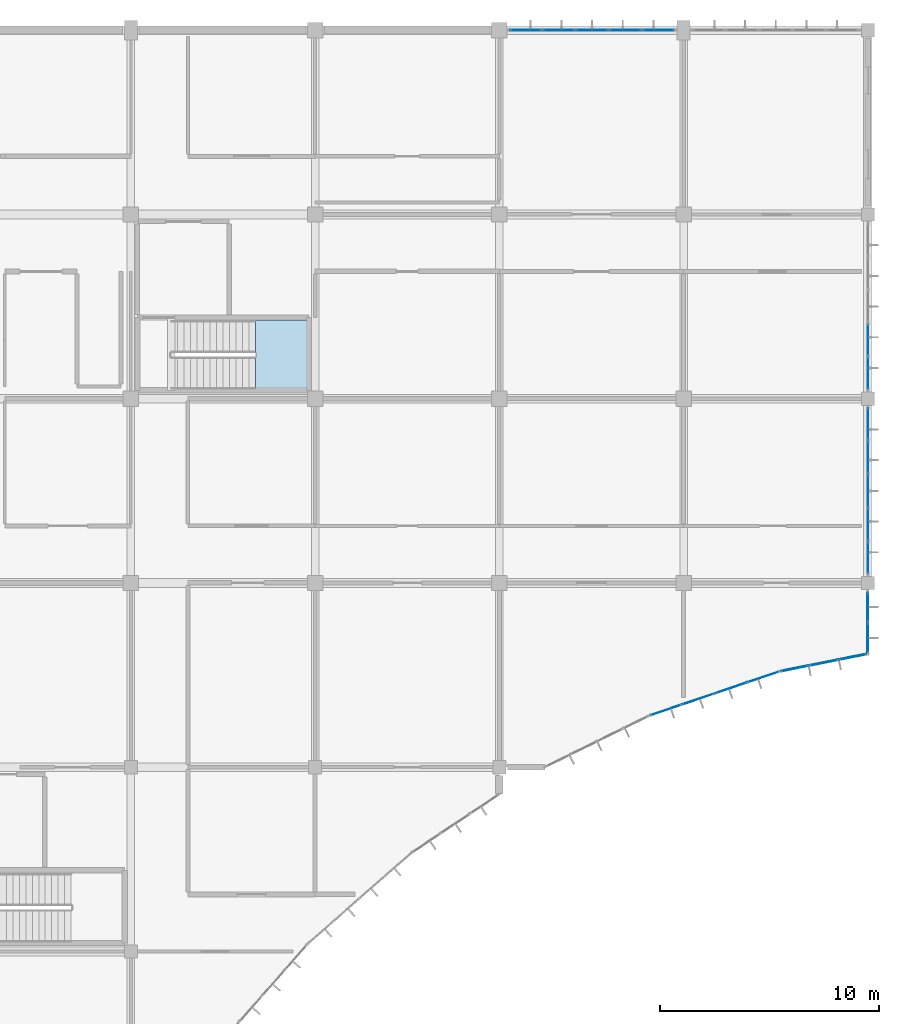
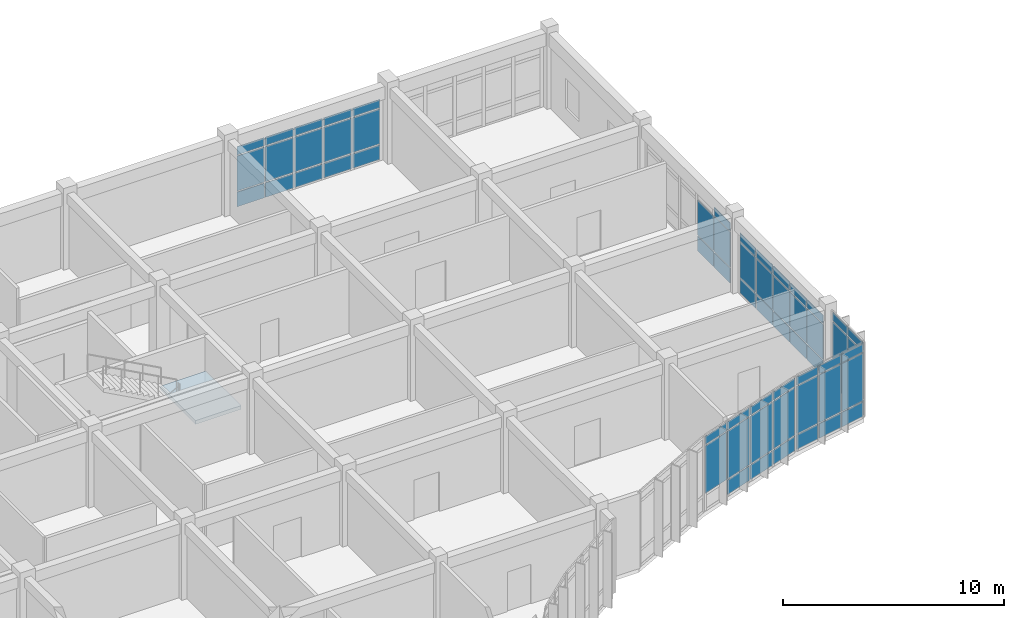
# One storey, part 89 of 144: 61 plates, 1 slab, 7 elements without a shape of their own.
"""IFC4 building model written with IfcOpenShell, lengths in metres."""

from ifc_helpers import new_model, si_unit, direction, frame, origin, origin_2d, place, context, subcontext, project, spatial, polyline, rectangle, outline, extrude, material, layer, layer_set, type_object, element, aggregate, save


model = new_model("IFC4")

# Units and contexts
model_context = context("Model", 3, precision=1e-05, world=origin(), true_north=direction((0.0, 1.0)))
body_context = subcontext(model_context, "Body", "Model", "MODEL_VIEW")
ifc_project = project(units=[si_unit("LENGTHUNIT", "METRE"), si_unit("AREAUNIT", "SQUARE_METRE"), si_unit("VOLUMEUNIT", "CUBIC_METRE"), si_unit("PLANEANGLEUNIT", "RADIAN"), si_unit("MASSUNIT", "GRAM", prefix="KILO")], contexts=[model_context])

# Site, building, storey
site_placement = place(None, origin())
site = spatial("IfcSite", under=ifc_project, at=site_placement, CompositionType="ELEMENT")
building_placement = place(site_placement, origin())
building = spatial("IfcBuilding", under=site, at=building_placement, Name="Bramfleet General Hospital", CompositionType="ELEMENT")
storey_placement = place(building_placement, frame((0.0, 0.0, 4.800048828125)))
storey = spatial("IfcBuildingStorey", under=building, at=storey_placement, Name="L01", CompositionType="ELEMENT", Elevation=4.800048828125)

# Curtain wall, plates
ifc_material_1 = material(Name="Anodised aluminium and low-E triple glazing", Category="aluminium")
ifc_layer_1 = layer(ifc_material_1, 0.179931640625, Name="CWT-CW-13")
ifc_layer_set_1 = layer_set([ifc_layer_1], Name="Anodised aluminium and low-E triple glazing")
curtain_wall_type_1 = type_object("IfcCurtainWallType", Name="CWT-CW-13", PredefinedType="USERDEFINED", material=ifc_layer_set_1)
curtain_wall_1_placement = place(storey_placement, origin())
curtain_wall_1 = element("IfcCurtainWall", 1, at=curtain_wall_1_placement, inside=storey, type_object=curtain_wall_type_1, Name="L01 Curtain Wall 49", ObjectType="Stick curtain wall", PredefinedType="USERDEFINED")
ifc_material_2 = material(Name="Low-E laminated safety glass", Category="glass")
ifc_layer_2 = layer(ifc_material_2, 0.028076171875, Name="CWP-GLZ-1")
ifc_layer_set_2 = layer_set([ifc_layer_2], Name="Low-E laminated safety glass")
plate_type_1 = type_object("IfcPlateType", Name="CWP-GLZ-1", PredefinedType="CURTAIN_PANEL", material=ifc_layer_set_2)
plate_1_placement = place(storey_placement, frame((168.0, 103.469970703125, 0.06494140625), z_axis=(0.0, 0.0, 1.0), x_axis=(0.0, -1.0, 0.0)))
plate_1 = element("IfcPlate", 2, at=plate_1_placement, type_object=plate_type_1, Name="CW-13 panel 4.1", PredefinedType="CURTAIN_PANEL", context=body_context, shape_type="SweptSolid", body=[
    extrude(rectangle(XDim=1.4599609375, YDim=0.028076171875, at=origin_2d()), origin(), (0.0, 0.0, 1.0), 0.802490234375),
])
plate_2_placement = place(storey_placement, frame((168.0, 103.469970703125, 0.9326171875), z_axis=(0.0, 0.0, 1.0), x_axis=(0.0, -1.0, 0.0)))
plate_2 = element("IfcPlate", 3, at=plate_2_placement, type_object=plate_type_1, Name="CW-13 panel 4.2", PredefinedType="CURTAIN_PANEL", context=body_context, shape_type="SweptSolid", body=[
    extrude(rectangle(XDim=1.4599609375, YDim=0.028076171875, at=origin_2d()), origin(), (0.0, 0.0, 1.0), 1.925048828125),
])
plate_3_placement = place(storey_placement, frame((168.0, 101.95751953125, 0.06494140625), z_axis=(0.0, 0.0, 1.0), x_axis=(0.0, -1.0, 0.0)))
plate_3 = element("IfcPlate", 4, at=plate_3_placement, type_object=plate_type_1, Name="CW-13 panel 5.1", PredefinedType="CURTAIN_PANEL", context=body_context, shape_type="SweptSolid", body=[
    extrude(rectangle(XDim=1.425048828125, YDim=0.028076171875, at=origin_2d()), origin(), (0.0, 0.0, 1.0), 0.802490234375),
])
plate_4_placement = place(storey_placement, frame((168.0, 101.95751953125, 0.9326171875), z_axis=(0.0, 0.0, 1.0), x_axis=(0.0, -1.0, 0.0)))
plate_4 = element("IfcPlate", 5, at=plate_4_placement, type_object=plate_type_1, Name="CW-13 panel 5.2", PredefinedType="CURTAIN_PANEL", context=body_context, shape_type="SweptSolid", body=[
    extrude(rectangle(XDim=1.425048828125, YDim=0.028076171875, at=origin_2d()), origin(), (0.0, 0.0, 1.0), 1.925048828125),
])
plate_5_placement = place(storey_placement, frame((168.0, 101.95751953125, 2.92236328125), z_axis=(0.0, 0.0, 1.0), x_axis=(0.0, -1.0, 0.0)))
plate_5 = element("IfcPlate", 6, at=plate_5_placement, type_object=plate_type_1, Name="CW-13 panel 5.3", PredefinedType="CURTAIN_PANEL", context=body_context, shape_type="SweptSolid", body=[
    extrude(rectangle(XDim=1.425048828125, YDim=0.028076171875, at=origin_2d()), origin(), (0.0, 0.0, 1.0), 0.452392578125),
])
aggregate(curtain_wall_1, [plate_1, plate_2, plate_3, plate_4, plate_5])

ifc_layer_3 = layer(ifc_material_1, 0.179931640625, Name="CWT-CW-17")
ifc_layer_set_3 = layer_set([ifc_layer_3], Name="Anodised aluminium and low-E triple glazing")
curtain_wall_type_2 = type_object("IfcCurtainWallType", Name="CWT-CW-17", PredefinedType="USERDEFINED", material=ifc_layer_set_3)
curtain_wall_2_placement = place(storey_placement, origin())
curtain_wall_2 = element("IfcCurtainWall", 7, at=curtain_wall_2_placement, inside=storey, type_object=curtain_wall_type_2, Name="L01 Curtain Wall 53", ObjectType="Stick curtain wall", PredefinedType="USERDEFINED")
plate_6_placement = place(storey_placement, frame((163.21728515625, 88.106201171875, 0.06494140625), z_axis=(0.0, 0.0, 1.0), x_axis=(-0.946949276617, -0.321383054181, 0.0)))
plate_6 = element("IfcPlate", 8, at=plate_6_placement, type_object=plate_type_1, Name="CW-17 panel 1.1", PredefinedType="CURTAIN_PANEL", context=body_context, shape_type="SweptSolid", body=[
    extrude(rectangle(XDim=1.46484375, YDim=0.028076171875, at=origin_2d()), origin(), (0.0, 0.0, 1.0), 0.802490234375),
])
plate_7_placement = place(storey_placement, frame((163.21728515625, 88.106201171875, 0.932373046875), z_axis=(0.0, 0.0, 1.0), x_axis=(-0.946949276617, -0.321383054181, 0.0)))
plate_7 = element("IfcPlate", 9, at=plate_7_placement, type_object=plate_type_1, Name="CW-17 panel 1.2", PredefinedType="CURTAIN_PANEL", context=body_context, shape_type="SweptSolid", body=[
    extrude(rectangle(XDim=1.46484375, YDim=0.028076171875, at=origin_2d()), origin(), (0.0, 0.0, 1.0), 2.625),
])
plate_8_placement = place(storey_placement, frame((163.21728515625, 88.106201171875, 3.62255859375), z_axis=(0.0, 0.0, 1.0), x_axis=(-0.946949276617, -0.321383054181, 0.0)))
plate_8 = element("IfcPlate", 10, at=plate_8_placement, type_object=plate_type_1, Name="CW-17 panel 1.3", PredefinedType="CURTAIN_PANEL", context=body_context, shape_type="SweptSolid", body=[
    extrude(rectangle(XDim=1.46484375, YDim=0.028076171875, at=origin_2d()), origin(), (0.0, 0.0, 1.0), 0.452392578125),
])
plate_9_placement = place(storey_placement, frame((161.747314453125, 87.607177734375, 0.06494140625), z_axis=(0.0, 0.0, 1.0), x_axis=(-0.946949276617, -0.321383054181, 0.0)))
plate_9 = element("IfcPlate", 11, at=plate_9_placement, type_object=plate_type_1, Name="CW-17 panel 2.1", PredefinedType="CURTAIN_PANEL", context=body_context, shape_type="SweptSolid", body=[
    extrude(rectangle(XDim=1.499755859375, YDim=0.028076171875, at=origin_2d()), origin(), (0.0, 0.0, 1.0), 0.802490234375),
])
plate_10_placement = place(storey_placement, frame((161.747314453125, 87.607177734375, 0.932373046875), z_axis=(0.0, 0.0, 1.0), x_axis=(-0.946949276617, -0.321383054181, 0.0)))
plate_10 = element("IfcPlate", 12, at=plate_10_placement, type_object=plate_type_1, Name="CW-17 panel 2.2", PredefinedType="CURTAIN_PANEL", context=body_context, shape_type="SweptSolid", body=[
    extrude(rectangle(XDim=1.499755859375, YDim=0.028076171875, at=origin_2d()), origin(), (0.0, 0.0, 1.0), 2.625),
])
plate_11_placement = place(storey_placement, frame((161.747314453125, 87.607177734375, 3.62255859375), z_axis=(0.0, 0.0, 1.0), x_axis=(-0.946949276617, -0.321383054181, 0.0)))
plate_11 = element("IfcPlate", 13, at=plate_11_placement, type_object=plate_type_1, Name="CW-17 panel 2.3", PredefinedType="CURTAIN_PANEL", context=body_context, shape_type="SweptSolid", body=[
    extrude(rectangle(XDim=1.499755859375, YDim=0.028076171875, at=origin_2d()), origin(), (0.0, 0.0, 1.0), 0.452392578125),
])
plate_12_placement = place(storey_placement, frame((160.2607421875, 87.102783203125, 0.06494140625), z_axis=(0.0, 0.0, 1.0), x_axis=(-0.946949276617, -0.321383054181, 0.0)))
plate_12 = element("IfcPlate", 14, at=plate_12_placement, type_object=plate_type_1, Name="CW-17 panel 3.1", PredefinedType="CURTAIN_PANEL", context=body_context, shape_type="SweptSolid", body=[
    extrude(rectangle(XDim=1.499755859375, YDim=0.028076171875, at=origin_2d()), origin(), (0.0, 0.0, 1.0), 0.802490234375),
])
plate_13_placement = place(storey_placement, frame((160.2607421875, 87.102783203125, 0.932373046875), z_axis=(0.0, 0.0, 1.0), x_axis=(-0.946949276617, -0.321383054181, 0.0)))
plate_13 = element("IfcPlate", 15, at=plate_13_placement, type_object=plate_type_1, Name="CW-17 panel 3.2", PredefinedType="CURTAIN_PANEL", context=body_context, shape_type="SweptSolid", body=[
    extrude(rectangle(XDim=1.499755859375, YDim=0.028076171875, at=origin_2d()), origin(), (0.0, 0.0, 1.0), 2.625),
])
plate_14_placement = place(storey_placement, frame((160.2607421875, 87.102783203125, 3.62255859375), z_axis=(0.0, 0.0, 1.0), x_axis=(-0.946949276617, -0.321383054181, 0.0)))
plate_14 = element("IfcPlate", 16, at=plate_14_placement, type_object=plate_type_1, Name="CW-17 panel 3.3", PredefinedType="CURTAIN_PANEL", context=body_context, shape_type="SweptSolid", body=[
    extrude(rectangle(XDim=1.499755859375, YDim=0.028076171875, at=origin_2d()), origin(), (0.0, 0.0, 1.0), 0.452392578125),
])
plate_15_placement = place(storey_placement, frame((158.790771484375, 86.603759765625, 0.932373046875), z_axis=(0.0, 0.0, 1.0), x_axis=(-0.946949276617, -0.321383054181, 0.0)))
plate_15 = element("IfcPlate", 17, at=plate_15_placement, type_object=plate_type_1, Name="CW-17 panel 4.2", PredefinedType="CURTAIN_PANEL", context=body_context, shape_type="SweptSolid", body=[
    extrude(rectangle(XDim=1.46484375, YDim=0.028076171875, at=origin_2d()), origin(), (0.0, 0.0, 1.0), 2.625),
])
plate_16_placement = place(storey_placement, frame((158.790771484375, 86.603759765625, 3.62255859375), z_axis=(0.0, 0.0, 1.0), x_axis=(-0.946949276617, -0.321383054181, 0.0)))
plate_16 = element("IfcPlate", 18, at=plate_16_placement, type_object=plate_type_1, Name="CW-17 panel 4.3", PredefinedType="CURTAIN_PANEL", context=body_context, shape_type="SweptSolid", body=[
    extrude(rectangle(XDim=1.46484375, YDim=0.028076171875, at=origin_2d()), origin(), (0.0, 0.0, 1.0), 0.452392578125),
])
aggregate(curtain_wall_2, [plate_6, plate_7, plate_8, plate_9, plate_10, plate_11, plate_12, plate_13, plate_14, plate_15, plate_16])

ifc_layer_4 = layer(ifc_material_1, 0.179931640625, Name="CWT-CW-14")
ifc_layer_set_4 = layer_set([ifc_layer_4], Name="Anodised aluminium and low-E triple glazing")
curtain_wall_type_3 = type_object("IfcCurtainWallType", Name="CWT-CW-14", PredefinedType="USERDEFINED", material=ifc_layer_set_4)
curtain_wall_3_placement = place(storey_placement, origin())
curtain_wall_3 = element("IfcCurtainWall", 19, at=curtain_wall_3_placement, inside=storey, type_object=curtain_wall_type_3, Name="L01 Curtain Wall 50", ObjectType="Stick curtain wall", PredefinedType="USERDEFINED")
ifc_layer_5 = layer(ifc_material_2, 0.031982421875, Name="CWP-GLZ-2")
ifc_layer_set_5 = layer_set([ifc_layer_5], Name="Low-E laminated safety glass")
plate_type_2 = type_object("IfcPlateType", Name="CWP-GLZ-2", PredefinedType="CURTAIN_PANEL", material=ifc_layer_set_5)
plate_17_placement = place(storey_placement, frame((168.0, 99.642578125, 0.06494140625), z_axis=(0.0, 0.0, 1.0), x_axis=(0.0, -1.0, 0.0)))
plate_17 = element("IfcPlate", 20, at=plate_17_placement, type_object=plate_type_2, Name="CW-14 panel 1.1", PredefinedType="CURTAIN_PANEL", context=body_context, shape_type="SweptSolid", body=[
    extrude(rectangle(XDim=1.425048828125, YDim=0.031982421875, at=origin_2d()), origin(), (0.0, 0.0, 1.0), 0.802490234375),
])
plate_18_placement = place(storey_placement, frame((168.0, 99.642578125, 0.9326171875), z_axis=(0.0, 0.0, 1.0), x_axis=(0.0, -1.0, 0.0)))
plate_18 = element("IfcPlate", 21, at=plate_18_placement, type_object=plate_type_2, Name="CW-14 panel 1.2", PredefinedType="CURTAIN_PANEL", context=body_context, shape_type="SweptSolid", body=[
    extrude(rectangle(XDim=1.425048828125, YDim=0.031982421875, at=origin_2d()), origin(), (0.0, 0.0, 1.0), 1.925048828125),
])
plate_19_placement = place(storey_placement, frame((168.0, 99.642578125, 2.92236328125), z_axis=(0.0, 0.0, 1.0), x_axis=(0.0, -1.0, 0.0)))
plate_19 = element("IfcPlate", 22, at=plate_19_placement, type_object=plate_type_2, Name="CW-14 panel 1.3", PredefinedType="CURTAIN_PANEL", context=body_context, shape_type="SweptSolid", body=[
    extrude(rectangle(XDim=1.425048828125, YDim=0.031982421875, at=origin_2d()), origin(), (0.0, 0.0, 1.0), 0.452392578125),
])
plate_20_placement = place(storey_placement, frame((168.0, 98.1298828125, 0.06494140625), z_axis=(0.0, 0.0, 1.0), x_axis=(0.0, -1.0, 0.0)))
plate_20 = element("IfcPlate", 23, at=plate_20_placement, type_object=plate_type_2, Name="CW-14 panel 2.1", PredefinedType="CURTAIN_PANEL", context=body_context, shape_type="SweptSolid", body=[
    extrude(rectangle(XDim=1.4599609375, YDim=0.031982421875, at=origin_2d()), origin(), (0.0, 0.0, 1.0), 0.802490234375),
])
plate_21_placement = place(storey_placement, frame((168.0, 98.1298828125, 0.9326171875), z_axis=(0.0, 0.0, 1.0), x_axis=(0.0, -1.0, 0.0)))
plate_21 = element("IfcPlate", 24, at=plate_21_placement, type_object=plate_type_2, Name="CW-14 panel 2.2", PredefinedType="CURTAIN_PANEL", context=body_context, shape_type="SweptSolid", body=[
    extrude(rectangle(XDim=1.4599609375, YDim=0.031982421875, at=origin_2d()), origin(), (0.0, 0.0, 1.0), 1.925048828125),
])
plate_22_placement = place(storey_placement, frame((168.0, 98.1298828125, 2.92236328125), z_axis=(0.0, 0.0, 1.0), x_axis=(0.0, -1.0, 0.0)))
plate_22 = element("IfcPlate", 25, at=plate_22_placement, type_object=plate_type_2, Name="CW-14 panel 2.3", PredefinedType="CURTAIN_PANEL", context=body_context, shape_type="SweptSolid", body=[
    extrude(rectangle(XDim=1.4599609375, YDim=0.031982421875, at=origin_2d()), origin(), (0.0, 0.0, 1.0), 0.452392578125),
])
plate_23_placement = place(storey_placement, frame((168.0, 96.60009765625, 0.06494140625), z_axis=(0.0, 0.0, 1.0), x_axis=(0.0, -1.0, 0.0)))
plate_23 = element("IfcPlate", 26, at=plate_23_placement, type_object=plate_type_2, Name="CW-14 panel 3.1", PredefinedType="CURTAIN_PANEL", context=body_context, shape_type="SweptSolid", body=[
    extrude(rectangle(XDim=1.4599609375, YDim=0.031982421875, at=origin_2d()), origin(), (0.0, 0.0, 1.0), 0.802490234375),
])
plate_24_placement = place(storey_placement, frame((168.0, 96.60009765625, 0.9326171875), z_axis=(0.0, 0.0, 1.0), x_axis=(0.0, -1.0, 0.0)))
plate_24 = element("IfcPlate", 27, at=plate_24_placement, type_object=plate_type_2, Name="CW-14 panel 3.2", PredefinedType="CURTAIN_PANEL", context=body_context, shape_type="SweptSolid", body=[
    extrude(rectangle(XDim=1.4599609375, YDim=0.031982421875, at=origin_2d()), origin(), (0.0, 0.0, 1.0), 1.925048828125),
])
plate_25_placement = place(storey_placement, frame((168.0, 96.60009765625, 2.92236328125), z_axis=(0.0, 0.0, 1.0), x_axis=(0.0, -1.0, 0.0)))
plate_25 = element("IfcPlate", 28, at=plate_25_placement, type_object=plate_type_2, Name="CW-14 panel 3.3", PredefinedType="CURTAIN_PANEL", context=body_context, shape_type="SweptSolid", body=[
    extrude(rectangle(XDim=1.4599609375, YDim=0.031982421875, at=origin_2d()), origin(), (0.0, 0.0, 1.0), 0.452392578125),
])
plate_26_placement = place(storey_placement, frame((168.0, 95.070068359375, 0.06494140625), z_axis=(0.0, 0.0, 1.0), x_axis=(0.0, -1.0, 0.0)))
plate_26 = element("IfcPlate", 29, at=plate_26_placement, type_object=plate_type_2, Name="CW-14 panel 4.1", PredefinedType="CURTAIN_PANEL", context=body_context, shape_type="SweptSolid", body=[
    extrude(rectangle(XDim=1.4599609375, YDim=0.031982421875, at=origin_2d()), origin(), (0.0, 0.0, 1.0), 0.802490234375),
])
plate_27_placement = place(storey_placement, frame((168.0, 95.070068359375, 0.9326171875), z_axis=(0.0, 0.0, 1.0), x_axis=(0.0, -1.0, 0.0)))
plate_27 = element("IfcPlate", 30, at=plate_27_placement, type_object=plate_type_2, Name="CW-14 panel 4.2", PredefinedType="CURTAIN_PANEL", context=body_context, shape_type="SweptSolid", body=[
    extrude(rectangle(XDim=1.4599609375, YDim=0.031982421875, at=origin_2d()), origin(), (0.0, 0.0, 1.0), 1.925048828125),
])
plate_28_placement = place(storey_placement, frame((168.0, 95.070068359375, 2.92236328125), z_axis=(0.0, 0.0, 1.0), x_axis=(0.0, -1.0, 0.0)))
plate_28 = element("IfcPlate", 31, at=plate_28_placement, type_object=plate_type_2, Name="CW-14 panel 4.3", PredefinedType="CURTAIN_PANEL", context=body_context, shape_type="SweptSolid", body=[
    extrude(rectangle(XDim=1.4599609375, YDim=0.031982421875, at=origin_2d()), origin(), (0.0, 0.0, 1.0), 0.452392578125),
])
plate_29_placement = place(storey_placement, frame((168.0, 93.5576171875, 0.06494140625), z_axis=(0.0, 0.0, 1.0), x_axis=(0.0, -1.0, 0.0)))
plate_29 = element("IfcPlate", 32, at=plate_29_placement, type_object=plate_type_2, Name="CW-14 panel 5.1", PredefinedType="CURTAIN_PANEL", context=body_context, shape_type="SweptSolid", body=[
    extrude(rectangle(XDim=1.425048828125, YDim=0.031982421875, at=origin_2d()), origin(), (0.0, 0.0, 1.0), 0.802490234375),
])
plate_30_placement = place(storey_placement, frame((168.0, 93.5576171875, 0.9326171875), z_axis=(0.0, 0.0, 1.0), x_axis=(0.0, -1.0, 0.0)))
plate_30 = element("IfcPlate", 33, at=plate_30_placement, type_object=plate_type_2, Name="CW-14 panel 5.2", PredefinedType="CURTAIN_PANEL", context=body_context, shape_type="SweptSolid", body=[
    extrude(rectangle(XDim=1.425048828125, YDim=0.031982421875, at=origin_2d()), origin(), (0.0, 0.0, 1.0), 1.925048828125),
])
plate_31_placement = place(storey_placement, frame((168.0, 93.5576171875, 2.92236328125), z_axis=(0.0, 0.0, 1.0), x_axis=(0.0, -1.0, 0.0)))
plate_31 = element("IfcPlate", 34, at=plate_31_placement, type_object=plate_type_2, Name="CW-14 panel 5.3", PredefinedType="CURTAIN_PANEL", context=body_context, shape_type="SweptSolid", body=[
    extrude(rectangle(XDim=1.425048828125, YDim=0.031982421875, at=origin_2d()), origin(), (0.0, 0.0, 1.0), 0.452392578125),
])
aggregate(curtain_wall_3, [plate_17, plate_18, plate_19, plate_20, plate_21, plate_22, plate_23, plate_24, plate_25, plate_26, plate_27, plate_28, plate_29, plate_30, plate_31])

ifc_layer_6 = layer(ifc_material_1, 0.179931640625, Name="CWT-CW-11")
ifc_layer_set_6 = layer_set([ifc_layer_6], Name="Anodised aluminium and low-E triple glazing")
curtain_wall_type_4 = type_object("IfcCurtainWallType", Name="CWT-CW-11", PredefinedType="USERDEFINED", material=ifc_layer_set_6)
curtain_wall_4_placement = place(storey_placement, origin())
curtain_wall_4 = element("IfcCurtainWall", 35, at=curtain_wall_4_placement, inside=storey, type_object=curtain_wall_type_4, Name="L01 Curtain Wall 47", ObjectType="Stick curtain wall", PredefinedType="USERDEFINED")
ifc_layer_7 = layer(ifc_material_2, 0.035888671875, Name="CWP-GLZ-3")
ifc_layer_set_7 = layer_set([ifc_layer_7], Name="Low-E laminated safety glass")
plate_type_3 = type_object("IfcPlateType", Name="CWP-GLZ-3", PredefinedType="CURTAIN_PANEL", material=ifc_layer_set_7)
plate_32_placement = place(storey_placement, frame((152.402587890625, 117.60009765625, 0.06494140625), z_axis=(0.0, 0.0, 1.0), x_axis=(1.0, 0.0, 0.0)))
plate_32 = element("IfcPlate", 36, at=plate_32_placement, type_object=plate_type_3, Name="CW-11 panel 1.1", PredefinedType="CURTAIN_PANEL", context=body_context, shape_type="SweptSolid", body=[
    extrude(rectangle(XDim=1.4150390625, YDim=0.035888671875, at=origin_2d()), origin(), (0.0, 0.0, 1.0), 0.802490234375),
])
plate_33_placement = place(storey_placement, frame((152.402587890625, 117.60009765625, 0.9326171875), z_axis=(0.0, 0.0, 1.0), x_axis=(1.0, 0.0, 0.0)))
plate_33 = element("IfcPlate", 37, at=plate_33_placement, type_object=plate_type_3, Name="CW-11 panel 1.2", PredefinedType="CURTAIN_PANEL", context=body_context, shape_type="SweptSolid", body=[
    extrude(rectangle(XDim=1.4150390625, YDim=0.035888671875, at=origin_2d()), origin(), (0.0, 0.0, 1.0), 1.925048828125),
])
plate_34_placement = place(storey_placement, frame((152.402587890625, 117.60009765625, 2.92236328125), z_axis=(0.0, 0.0, 1.0), x_axis=(1.0, 0.0, 0.0)))
plate_34 = element("IfcPlate", 38, at=plate_34_placement, type_object=plate_type_3, Name="CW-11 panel 1.3", PredefinedType="CURTAIN_PANEL", context=body_context, shape_type="SweptSolid", body=[
    extrude(rectangle(XDim=1.4150390625, YDim=0.035888671875, at=origin_2d()), origin(), (0.0, 0.0, 1.0), 0.452392578125),
])
plate_35_placement = place(storey_placement, frame((153.905029296875, 117.60009765625, 0.06494140625), z_axis=(0.0, 0.0, 1.0), x_axis=(1.0, 0.0, 0.0)))
plate_35 = element("IfcPlate", 39, at=plate_35_placement, type_object=plate_type_3, Name="CW-11 panel 2.1", PredefinedType="CURTAIN_PANEL", context=body_context, shape_type="SweptSolid", body=[
    extrude(rectangle(XDim=1.449951171875, YDim=0.035888671875, at=origin_2d()), origin(), (0.0, 0.0, 1.0), 0.802490234375),
])
plate_36_placement = place(storey_placement, frame((153.905029296875, 117.60009765625, 0.9326171875), z_axis=(0.0, 0.0, 1.0), x_axis=(1.0, 0.0, 0.0)))
plate_36 = element("IfcPlate", 40, at=plate_36_placement, type_object=plate_type_3, Name="CW-11 panel 2.2", PredefinedType="CURTAIN_PANEL", context=body_context, shape_type="SweptSolid", body=[
    extrude(rectangle(XDim=1.449951171875, YDim=0.035888671875, at=origin_2d()), origin(), (0.0, 0.0, 1.0), 1.925048828125),
])
plate_37_placement = place(storey_placement, frame((153.905029296875, 117.60009765625, 2.92236328125), z_axis=(0.0, 0.0, 1.0), x_axis=(1.0, 0.0, 0.0)))
plate_37 = element("IfcPlate", 41, at=plate_37_placement, type_object=plate_type_3, Name="CW-11 panel 2.3", PredefinedType="CURTAIN_PANEL", context=body_context, shape_type="SweptSolid", body=[
    extrude(rectangle(XDim=1.449951171875, YDim=0.035888671875, at=origin_2d()), origin(), (0.0, 0.0, 1.0), 0.452392578125),
])
plate_38_placement = place(storey_placement, frame((155.425048828125, 117.60009765625, 0.06494140625), z_axis=(0.0, 0.0, 1.0), x_axis=(1.0, 0.0, 0.0)))
plate_38 = element("IfcPlate", 42, at=plate_38_placement, type_object=plate_type_3, Name="CW-11 panel 3.1", PredefinedType="CURTAIN_PANEL", context=body_context, shape_type="SweptSolid", body=[
    extrude(rectangle(XDim=1.449951171875, YDim=0.035888671875, at=origin_2d()), origin(), (0.0, 0.0, 1.0), 0.802490234375),
])
plate_39_placement = place(storey_placement, frame((155.425048828125, 117.60009765625, 0.9326171875), z_axis=(0.0, 0.0, 1.0), x_axis=(1.0, 0.0, 0.0)))
plate_39 = element("IfcPlate", 43, at=plate_39_placement, type_object=plate_type_3, Name="CW-11 panel 3.2", PredefinedType="CURTAIN_PANEL", context=body_context, shape_type="SweptSolid", body=[
    extrude(rectangle(XDim=1.449951171875, YDim=0.035888671875, at=origin_2d()), origin(), (0.0, 0.0, 1.0), 1.925048828125),
])
plate_40_placement = place(storey_placement, frame((155.425048828125, 117.60009765625, 2.92236328125), z_axis=(0.0, 0.0, 1.0), x_axis=(1.0, 0.0, 0.0)))
plate_40 = element("IfcPlate", 44, at=plate_40_placement, type_object=plate_type_3, Name="CW-11 panel 3.3", PredefinedType="CURTAIN_PANEL", context=body_context, shape_type="SweptSolid", body=[
    extrude(rectangle(XDim=1.449951171875, YDim=0.035888671875, at=origin_2d()), origin(), (0.0, 0.0, 1.0), 0.452392578125),
])
plate_41_placement = place(storey_placement, frame((156.945068359375, 117.60009765625, 0.06494140625), z_axis=(0.0, 0.0, 1.0), x_axis=(1.0, 0.0, 0.0)))
plate_41 = element("IfcPlate", 45, at=plate_41_placement, type_object=plate_type_3, Name="CW-11 panel 4.1", PredefinedType="CURTAIN_PANEL", context=body_context, shape_type="SweptSolid", body=[
    extrude(rectangle(XDim=1.449951171875, YDim=0.035888671875, at=origin_2d()), origin(), (0.0, 0.0, 1.0), 0.802490234375),
])
plate_42_placement = place(storey_placement, frame((156.945068359375, 117.60009765625, 0.9326171875), z_axis=(0.0, 0.0, 1.0), x_axis=(1.0, 0.0, 0.0)))
plate_42 = element("IfcPlate", 46, at=plate_42_placement, type_object=plate_type_3, Name="CW-11 panel 4.2", PredefinedType="CURTAIN_PANEL", context=body_context, shape_type="SweptSolid", body=[
    extrude(rectangle(XDim=1.449951171875, YDim=0.035888671875, at=origin_2d()), origin(), (0.0, 0.0, 1.0), 1.925048828125),
])
plate_43_placement = place(storey_placement, frame((156.945068359375, 117.60009765625, 2.92236328125), z_axis=(0.0, 0.0, 1.0), x_axis=(1.0, 0.0, 0.0)))
plate_43 = element("IfcPlate", 47, at=plate_43_placement, type_object=plate_type_3, Name="CW-11 panel 4.3", PredefinedType="CURTAIN_PANEL", context=body_context, shape_type="SweptSolid", body=[
    extrude(rectangle(XDim=1.449951171875, YDim=0.035888671875, at=origin_2d()), origin(), (0.0, 0.0, 1.0), 0.452392578125),
])
plate_44_placement = place(storey_placement, frame((158.447509765625, 117.60009765625, 0.06494140625), z_axis=(0.0, 0.0, 1.0), x_axis=(1.0, 0.0, 0.0)))
plate_44 = element("IfcPlate", 48, at=plate_44_placement, type_object=plate_type_3, Name="CW-11 panel 5.1", PredefinedType="CURTAIN_PANEL", context=body_context, shape_type="SweptSolid", body=[
    extrude(rectangle(XDim=1.4150390625, YDim=0.035888671875, at=origin_2d()), origin(), (0.0, 0.0, 1.0), 0.802490234375),
])
plate_45_placement = place(storey_placement, frame((158.447509765625, 117.60009765625, 0.9326171875), z_axis=(0.0, 0.0, 1.0), x_axis=(1.0, 0.0, 0.0)))
plate_45 = element("IfcPlate", 49, at=plate_45_placement, type_object=plate_type_3, Name="CW-11 panel 5.2", PredefinedType="CURTAIN_PANEL", context=body_context, shape_type="SweptSolid", body=[
    extrude(rectangle(XDim=1.4150390625, YDim=0.035888671875, at=origin_2d()), origin(), (0.0, 0.0, 1.0), 1.925048828125),
])
plate_46_placement = place(storey_placement, frame((158.447509765625, 117.60009765625, 2.92236328125), z_axis=(0.0, 0.0, 1.0), x_axis=(1.0, 0.0, 0.0)))
plate_46 = element("IfcPlate", 50, at=plate_46_placement, type_object=plate_type_3, Name="CW-11 panel 5.3", PredefinedType="CURTAIN_PANEL", context=body_context, shape_type="SweptSolid", body=[
    extrude(rectangle(XDim=1.4150390625, YDim=0.035888671875, at=origin_2d()), origin(), (0.0, 0.0, 1.0), 0.452392578125),
])
aggregate(curtain_wall_4, [plate_32, plate_33, plate_34, plate_35, plate_36, plate_37, plate_38, plate_39, plate_40, plate_41, plate_42, plate_43, plate_44, plate_45, plate_46])

ifc_layer_8 = layer(ifc_material_1, 0.179931640625, Name="CWT-CW-15")
ifc_layer_set_8 = layer_set([ifc_layer_8], Name="Anodised aluminium and low-E triple glazing")
curtain_wall_type_5 = type_object("IfcCurtainWallType", Name="CWT-CW-15", PredefinedType="USERDEFINED", material=ifc_layer_set_8)
curtain_wall_5_placement = place(storey_placement, origin())
curtain_wall_5 = element("IfcCurtainWall", 51, at=curtain_wall_5_placement, inside=storey, type_object=curtain_wall_type_5, Name="L01 Curtain Wall 51", ObjectType="Stick curtain wall", PredefinedType="USERDEFINED")
plate_47_placement = place(storey_placement, frame((168.0, 91.29248046875, 0.06494140625), z_axis=(0.0, 0.0, 1.0), x_axis=(0.0, -1.0, 0.0)))
plate_47 = element("IfcPlate", 52, at=plate_47_placement, type_object=plate_type_3, Name="CW-15 panel 1.1", PredefinedType="CURTAIN_PANEL", context=body_context, shape_type="SweptSolid", body=[
    extrude(rectangle(XDim=1.324951171875, YDim=0.035888671875, at=origin_2d()), origin(), (0.0, 0.0, 1.0), 0.802490234375),
])
plate_48_placement = place(storey_placement, frame((168.0, 91.29248046875, 0.932373046875), z_axis=(0.0, 0.0, 1.0), x_axis=(0.0, -1.0, 0.0)))
plate_48 = element("IfcPlate", 53, at=plate_48_placement, type_object=plate_type_3, Name="CW-15 panel 1.2", PredefinedType="CURTAIN_PANEL", context=body_context, shape_type="SweptSolid", body=[
    extrude(rectangle(XDim=1.324951171875, YDim=0.035888671875, at=origin_2d()), origin(), (0.0, 0.0, 1.0), 2.625),
])
plate_49_placement = place(storey_placement, frame((168.0, 91.29248046875, 3.62255859375), z_axis=(0.0, 0.0, 1.0), x_axis=(0.0, -1.0, 0.0)))
plate_49 = element("IfcPlate", 54, at=plate_49_placement, type_object=plate_type_3, Name="CW-15 panel 1.3", PredefinedType="CURTAIN_PANEL", context=body_context, shape_type="SweptSolid", body=[
    extrude(rectangle(XDim=1.324951171875, YDim=0.035888671875, at=origin_2d()), origin(), (0.0, 0.0, 1.0), 0.452392578125),
])
plate_50_placement = place(storey_placement, frame((168.0, 89.8974609375, 0.06494140625), z_axis=(0.0, 0.0, 1.0), x_axis=(0.0, -1.0, 0.0)))
plate_50 = element("IfcPlate", 55, at=plate_50_placement, type_object=plate_type_3, Name="CW-15 panel 2.1", PredefinedType="CURTAIN_PANEL", context=body_context, shape_type="SweptSolid", body=[
    extrude(rectangle(XDim=1.324951171875, YDim=0.035888671875, at=origin_2d()), origin(), (0.0, 0.0, 1.0), 0.802490234375),
])
plate_51_placement = place(storey_placement, frame((168.0, 89.8974609375, 0.932373046875), z_axis=(0.0, 0.0, 1.0), x_axis=(0.0, -1.0, 0.0)))
plate_51 = element("IfcPlate", 56, at=plate_51_placement, type_object=plate_type_3, Name="CW-15 panel 2.2", PredefinedType="CURTAIN_PANEL", context=body_context, shape_type="SweptSolid", body=[
    extrude(rectangle(XDim=1.324951171875, YDim=0.035888671875, at=origin_2d()), origin(), (0.0, 0.0, 1.0), 2.625),
])
plate_52_placement = place(storey_placement, frame((168.0, 89.8974609375, 3.62255859375), z_axis=(0.0, 0.0, 1.0), x_axis=(0.0, -1.0, 0.0)))
plate_52 = element("IfcPlate", 57, at=plate_52_placement, type_object=plate_type_3, Name="CW-15 panel 2.3", PredefinedType="CURTAIN_PANEL", context=body_context, shape_type="SweptSolid", body=[
    extrude(rectangle(XDim=1.324951171875, YDim=0.035888671875, at=origin_2d()), origin(), (0.0, 0.0, 1.0), 0.452392578125),
])
aggregate(curtain_wall_5, [plate_47, plate_48, plate_49, plate_50, plate_51, plate_52])

ifc_layer_9 = layer(ifc_material_1, 0.179931640625, Name="CWT-CW-16")
ifc_layer_set_9 = layer_set([ifc_layer_9], Name="Anodised aluminium and low-E triple glazing")
curtain_wall_type_6 = type_object("IfcCurtainWallType", Name="CWT-CW-16", PredefinedType="USERDEFINED", material=ifc_layer_set_9)
curtain_wall_6_placement = place(storey_placement, origin())
curtain_wall_6 = element("IfcCurtainWall", 58, at=curtain_wall_6_placement, inside=storey, type_object=curtain_wall_type_6, Name="L01 Curtain Wall 52", ObjectType="Stick curtain wall", PredefinedType="USERDEFINED")
ifc_layer_10 = layer(ifc_material_2, 0.0419921875, Name="CWP-GLZ-4")
ifc_layer_set_10 = layer_set([ifc_layer_10], Name="Low-E laminated safety glass")
plate_type_4 = type_object("IfcPlateType", Name="CWP-GLZ-4", PredefinedType="CURTAIN_PANEL", material=ifc_layer_set_10)
plate_53_placement = place(storey_placement, frame((167.312255859375, 89.028076171875, 0.06494140625), z_axis=(0.0, 0.0, 1.0), x_axis=(-0.980749087161, -0.195272189606, 0.0)))
plate_53 = element("IfcPlate", 59, at=plate_53_placement, type_object=plate_type_4, Name="CW-16 panel 1.1", PredefinedType="CURTAIN_PANEL", context=body_context, shape_type="SweptSolid", body=[
    extrude(rectangle(XDim=1.26220703125, YDim=0.0419921875, at=origin_2d()), origin(), (0.0, 0.0, 1.0), 0.802490234375),
])
plate_54_placement = place(storey_placement, frame((167.312255859375, 89.028076171875, 0.932373046875), z_axis=(0.0, 0.0, 1.0), x_axis=(-0.980749087161, -0.195272189606, 0.0)))
plate_54 = element("IfcPlate", 60, at=plate_54_placement, type_object=plate_type_4, Name="CW-16 panel 1.2", PredefinedType="CURTAIN_PANEL", context=body_context, shape_type="SweptSolid", body=[
    extrude(rectangle(XDim=1.26220703125, YDim=0.0419921875, at=origin_2d()), origin(), (0.0, 0.0, 1.0), 2.625),
])
plate_55_placement = place(storey_placement, frame((167.312255859375, 89.028076171875, 3.62255859375), z_axis=(0.0, 0.0, 1.0), x_axis=(-0.980749087161, -0.195272189606, 0.0)))
plate_55 = element("IfcPlate", 61, at=plate_55_placement, type_object=plate_type_4, Name="CW-16 panel 1.3", PredefinedType="CURTAIN_PANEL", context=body_context, shape_type="SweptSolid", body=[
    extrude(rectangle(XDim=1.26220703125, YDim=0.0419921875, at=origin_2d()), origin(), (0.0, 0.0, 1.0), 0.452392578125),
])
plate_56_placement = place(storey_placement, frame((165.988525390625, 88.764404296875, 0.06494140625), z_axis=(0.0, 0.0, 1.0), x_axis=(-0.980749087161, -0.195272189606, 0.0)))
plate_56 = element("IfcPlate", 62, at=plate_56_placement, type_object=plate_type_4, Name="CW-16 panel 2.1", PredefinedType="CURTAIN_PANEL", context=body_context, shape_type="SweptSolid", body=[
    extrude(rectangle(XDim=1.29736328125, YDim=0.0419921875, at=origin_2d()), origin(), (0.0, 0.0, 1.0), 0.802490234375),
])
plate_57_placement = place(storey_placement, frame((165.988525390625, 88.764404296875, 0.932373046875), z_axis=(0.0, 0.0, 1.0), x_axis=(-0.980749087161, -0.195272189606, 0.0)))
plate_57 = element("IfcPlate", 63, at=plate_57_placement, type_object=plate_type_4, Name="CW-16 panel 2.2", PredefinedType="CURTAIN_PANEL", context=body_context, shape_type="SweptSolid", body=[
    extrude(rectangle(XDim=1.29736328125, YDim=0.0419921875, at=origin_2d()), origin(), (0.0, 0.0, 1.0), 2.625),
])
plate_58_placement = place(storey_placement, frame((165.988525390625, 88.764404296875, 3.62255859375), z_axis=(0.0, 0.0, 1.0), x_axis=(-0.980749087161, -0.195272189606, 0.0)))
plate_58 = element("IfcPlate", 64, at=plate_58_placement, type_object=plate_type_4, Name="CW-16 panel 2.3", PredefinedType="CURTAIN_PANEL", context=body_context, shape_type="SweptSolid", body=[
    extrude(rectangle(XDim=1.29736328125, YDim=0.0419921875, at=origin_2d()), origin(), (0.0, 0.0, 1.0), 0.452392578125),
])
plate_59_placement = place(storey_placement, frame((164.66455078125, 88.5009765625, 0.06494140625), z_axis=(0.0, 0.0, 1.0), x_axis=(-0.980749087161, -0.195272189606, 0.0)))
plate_59 = element("IfcPlate", 65, at=plate_59_placement, type_object=plate_type_4, Name="CW-16 panel 3.1", PredefinedType="CURTAIN_PANEL", context=body_context, shape_type="SweptSolid", body=[
    extrude(rectangle(XDim=1.26220703125, YDim=0.0419921875, at=origin_2d()), origin(), (0.0, 0.0, 1.0), 0.802490234375),
])
plate_60_placement = place(storey_placement, frame((164.66455078125, 88.5009765625, 0.932373046875), z_axis=(0.0, 0.0, 1.0), x_axis=(-0.980749087161, -0.195272189606, 0.0)))
plate_60 = element("IfcPlate", 66, at=plate_60_placement, type_object=plate_type_4, Name="CW-16 panel 3.2", PredefinedType="CURTAIN_PANEL", context=body_context, shape_type="SweptSolid", body=[
    extrude(rectangle(XDim=1.26220703125, YDim=0.0419921875, at=origin_2d()), origin(), (0.0, 0.0, 1.0), 2.625),
])
plate_61_placement = place(storey_placement, frame((164.66455078125, 88.5009765625, 3.62255859375), z_axis=(0.0, 0.0, 1.0), x_axis=(-0.980749087161, -0.195272189606, 0.0)))
plate_61 = element("IfcPlate", 67, at=plate_61_placement, type_object=plate_type_4, Name="CW-16 panel 3.3", PredefinedType="CURTAIN_PANEL", context=body_context, shape_type="SweptSolid", body=[
    extrude(rectangle(XDim=1.26220703125, YDim=0.0419921875, at=origin_2d()), origin(), (0.0, 0.0, 1.0), 0.452392578125),
])
aggregate(curtain_wall_6, [plate_53, plate_54, plate_55, plate_56, plate_57, plate_58, plate_59, plate_60, plate_61])

# Stair, slab
ifc_material_3 = material(Name="Concrete C35/45", Category="concrete")
stair_type = type_object("IfcStairType", Name="STR-T2", PredefinedType="HALF_TURN_STAIR", material=ifc_material_3)
stair_placement = place(storey_placement, origin())
stair = element("IfcStair", 68, at=stair_placement, inside=storey, type_object=stair_type, Name="L01 Core C9 (North-East Ward & Diagnostic Escape) Protected Escape Stair", PredefinedType="HALF_TURN_STAIR")
ifc_layer_11 = layer(ifc_material_3, 0.199951171875, Name="SL-LND-200")
ifc_layer_set_11 = layer_set([ifc_layer_11], Name="Concrete C35/45")
slab_type = type_object("IfcSlabType", Name="SL-LND-200", PredefinedType="LANDING", material=ifc_layer_set_11)
slab_placement = place(storey_placement, frame((0.0, 0.0, 2.050048828125)))
slab = element("IfcSlab", 69, at=slab_placement, type_object=slab_type, Name="ST-C9 landing 1", PredefinedType="LANDING", context=body_context, shape_type="SweptSolid", body=[
    extrude(outline(polyline([(140.074951171875, 101.219970703125), (142.4599609375, 101.219970703125), (142.4599609375, 104.3798828125), (140.074951171875, 104.3798828125), (140.074951171875, 101.219970703125)])), origin(), (0.0, 0.0, 1.0), 0.199951171875),
])
aggregate(stair, [slab])

save(model, "model.ifc")
